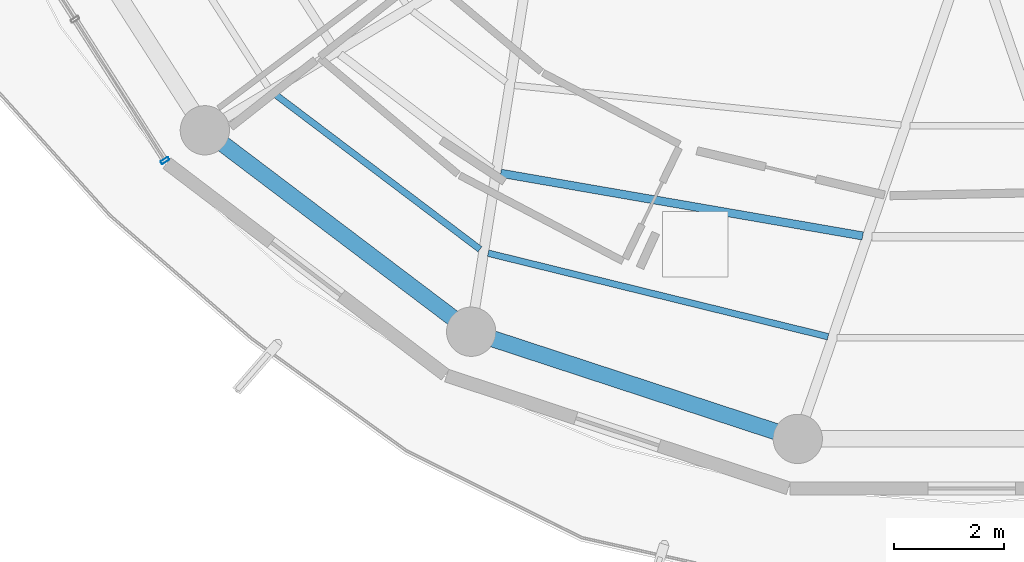
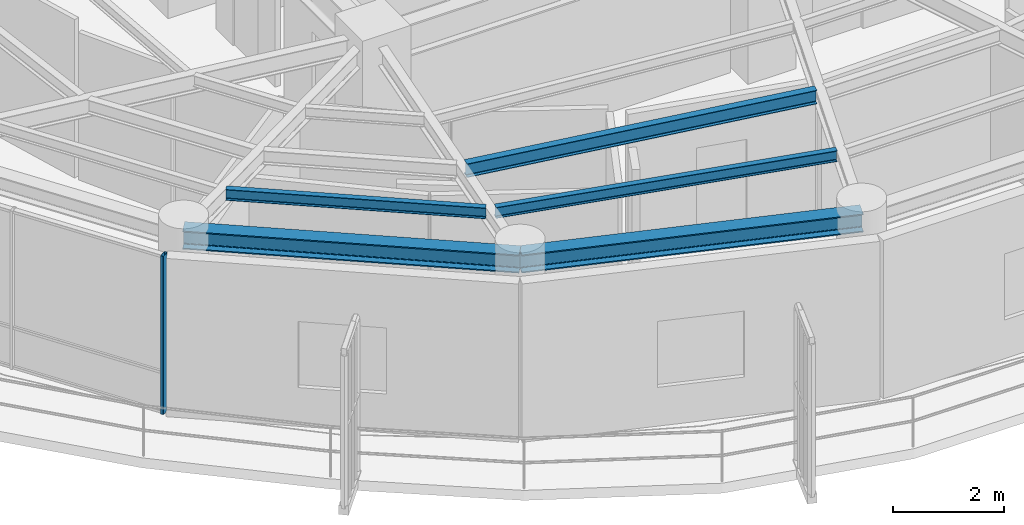
# One storey, part 2 of 23: 5 beams, 1 member, 1 element without a shape of its own.
"""IFC4 building model written with IfcOpenShell, lengths in metres."""

from ifc_helpers import new_model, si_unit, direction, frame, origin, origin_2d, place, context, subcontext, project, spatial, hollow_rectangle, i_section, extrude, material, layer, layer_set, material_profile, profile_set, type_object, element, aggregate, save


model = new_model("IFC4")

# Units and contexts
model_context = context("Model", 3, precision=1e-05, world=origin(), true_north=direction((0.0, 1.0)))
body_context = subcontext(model_context, "Body", "Model", "MODEL_VIEW")
ifc_project = project(units=[si_unit("LENGTHUNIT", "METRE"), si_unit("AREAUNIT", "SQUARE_METRE"), si_unit("VOLUMEUNIT", "CUBIC_METRE"), si_unit("PLANEANGLEUNIT", "RADIAN"), si_unit("MASSUNIT", "GRAM", prefix="KILO")], contexts=[model_context])

# Site, building, storey
site_placement = place(None, origin())
site = spatial("IfcSite", under=ifc_project, at=site_placement, CompositionType="ELEMENT")
building_placement = place(site_placement, origin())
building = spatial("IfcBuilding", under=site, at=building_placement, Name="Kelanora Arch Commons", CompositionType="ELEMENT")
storey_placement = place(building_placement, frame((0.0, 0.0, 282.449951171875)))
storey = spatial("IfcBuildingStorey", under=building, at=storey_placement, Name="L72", CompositionType="ELEMENT", Elevation=282.449951171875)

# Beams
ifc_material_1 = material(Name="Steel S355", Category="steel")
ifc_material_profile_1 = material_profile(ifc_material_1, i_section(OverallWidth=0.14990234375, OverallDepth=0.300048828125, WebThickness=0.007080078125, FlangeThickness=0.0107421875, FilletRadius=0.014892578125, at=origin_2d()), Name="IPE300")
ifc_profile_set_1 = profile_set([ifc_material_profile_1], Name="Steel S355")
beam_type_1 = type_object("IfcBeamType", Name="BM-JST-01", PredefinedType="JOIST", material=ifc_profile_set_1)
beam_1_placement = place(storey_placement, frame((65.39990234375, 46.622314453125, 3.340087890625), z_axis=(0.985321568263, -0.170708544357, 0.0), x_axis=(0.170708544357, 0.985321568263, 0.0)))
element("IfcBeam", 1, at=beam_1_placement, inside=storey, type_object=beam_type_1, Name="Secondary Chord Joist BJB-24 L72", PredefinedType="JOIST", context=body_context, shape_type="SweptSolid", body=[
    extrude(i_section(OverallWidth=0.14990234375, OverallDepth=0.300048828125, WebThickness=0.007080078125, FlangeThickness=0.0107421875, FilletRadius=0.014892578125, at=origin_2d()), origin(), (0.0, 0.0, 1.0), 6.710205078125),
])
ifc_material_profile_2 = material_profile(ifc_material_1, i_section(OverallWidth=0.1201171875, OverallDepth=0.239990234375, WebThickness=0.006103515625, FlangeThickness=0.009765625, FilletRadius=0.014892578125, at=origin_2d()), Name="IPE240")
ifc_profile_set_2 = profile_set([ifc_material_profile_2], Name="Steel S355")
beam_type_2 = type_object("IfcBeamType", Name="BM-JST-02", PredefinedType="JOIST", material=ifc_profile_set_2)
beam_2_placement = place(storey_placement, frame((61.26513671875, 48.07421875, 3.3701171875), z_axis=(0.79752302984, -0.60328850219, 0.0), x_axis=(0.60328850219, 0.79752302984, 0.0)))
element("IfcBeam", 2, at=beam_2_placement, inside=storey, type_object=beam_type_2, Name="Secondary Chord Joist BJC-22 L72", PredefinedType="JOIST", context=body_context, shape_type="SweptSolid", body=[
    extrude(i_section(OverallWidth=0.1201171875, OverallDepth=0.239990234375, WebThickness=0.006103515625, FlangeThickness=0.009765625, FilletRadius=0.014892578125, at=origin_2d()), origin(), (0.0, 0.0, 1.0), 4.70849609375),
])
beam_3_placement = place(storey_placement, frame((65.17041015625, 45.162109375, 3.3701171875), z_axis=(0.971109719488, -0.23863342749, 0.0), x_axis=(0.23863342749, 0.971109719488, 0.0)))
element("IfcBeam", 3, at=beam_3_placement, inside=storey, type_object=beam_type_2, Name="Secondary Chord Joist BJC-24 L72", PredefinedType="JOIST", context=body_context, shape_type="SweptSolid", body=[
    extrude(i_section(OverallWidth=0.1201171875, OverallDepth=0.239990234375, WebThickness=0.006103515625, FlangeThickness=0.009765625, FilletRadius=0.014892578125, at=origin_2d()), origin(), (0.0, 0.0, 1.0), 6.39208984375),
])
ifc_material_profile_3 = material_profile(ifc_material_1, i_section(OverallWidth=0.300048828125, OverallDepth=0.39990234375, WebThickness=0.013427734375, FlangeThickness=0.02392578125, FilletRadius=0.027099609375, at=origin_2d()), Name="HEB400")
ifc_profile_set_3 = profile_set([ifc_material_profile_3], Name="Steel S355")
beam_type_3 = type_object("IfcBeamType", Name="BM-SPN-Z4", PredefinedType="SPANDREL", material=ifc_profile_set_3)
beam_4_placement = place(storey_placement, frame((59.99658203125, 47.406982421875, 3.2900390625), z_axis=(0.797509460967, -0.603306439273, 0.0), x_axis=(0.603306439273, 0.797509460967, 0.0)))
element("IfcBeam", 4, at=beam_4_placement, inside=storey, type_object=beam_type_3, Name="Perimeter Spandrel Beam BS-22 L72", PredefinedType="SPANDREL", context=body_context, shape_type="SweptSolid", body=[
    extrude(i_section(OverallWidth=0.300048828125, OverallDepth=0.39990234375, WebThickness=0.013427734375, FlangeThickness=0.02392578125, FilletRadius=0.027099609375, at=origin_2d()), origin(), (0.0, 0.0, 1.0), 6.098388671875),
])
beam_5_placement = place(storey_placement, frame((64.860107421875, 43.727783203125, 3.2900390625), z_axis=(0.950165923039, -0.311744636996, 0.0), x_axis=(0.311744636996, 0.950165923039, 0.0)))
element("IfcBeam", 5, at=beam_5_placement, inside=storey, type_object=beam_type_3, Name="Perimeter Spandrel Beam BS-24 L72", PredefinedType="SPANDREL", context=body_context, shape_type="SweptSolid", body=[
    extrude(i_section(OverallWidth=0.300048828125, OverallDepth=0.39990234375, WebThickness=0.013427734375, FlangeThickness=0.02392578125, FilletRadius=0.027099609375, at=origin_2d()), origin(), (0.0, 0.0, 1.0), 6.278564453125),
])

# Curtain wall, member
ifc_material_2 = material(Name="Terracotta ceramic-fritted low-E glass and aluminium", Category="masonry")
ifc_layer = layer(ifc_material_2, 0.18994140625)
ifc_layer_set = layer_set([ifc_layer], Name="Terracotta ceramic-fritted low-E glass and aluminium")
curtain_wall_type = type_object("IfcCurtainWallType", Name="CW-SYS-03", PredefinedType="NOTDEFINED", material=ifc_layer_set)
curtain_wall_placement = place(storey_placement, origin())
curtain_wall = element("IfcCurtainWall", 6, at=curtain_wall_placement, inside=storey, type_object=curtain_wall_type, Name="Unitised Curtain Wall L72-B10", PredefinedType="NOTDEFINED")
ifc_material_3 = material(Name="Powder-coated aluminium terracotta", Category="masonry")
ifc_material_profile_4 = material_profile(ifc_material_3, hollow_rectangle(XDim=0.159912109375, YDim=0.06005859375, WallThickness=0.0048828125, InnerFilletRadius=0.0048828125, OuterFilletRadius=0.010009765625, at=origin_2d()), Name="CWM160x60")
ifc_profile_set_4 = profile_set([ifc_material_profile_4], Name="Powder-coated aluminium terracotta")
member_type = type_object("IfcMemberType", Name="CWM-STD", PredefinedType="MULLION", material=ifc_profile_set_4)
member_placement = place(storey_placement, frame((59.267578125, 46.853515625, 0.0), z_axis=(0.0, 0.0, 1.0), x_axis=(0.843391314545, 0.537299814397, 0.0)))
member = element("IfcMember", 7, at=member_placement, type_object=member_type, Name="CW-03 mullion 3", PredefinedType="MULLION", context=body_context, shape_type="SweptSolid", body=[
    extrude(hollow_rectangle(XDim=0.159912109375, YDim=0.06005859375, WallThickness=0.0048828125, InnerFilletRadius=0.0048828125, OuterFilletRadius=0.010009765625, at=origin_2d()), origin(), (0.0, 0.0, 1.0), 3.47509765625),
])
aggregate(curtain_wall, [member])

save(model, "model.ifc")
